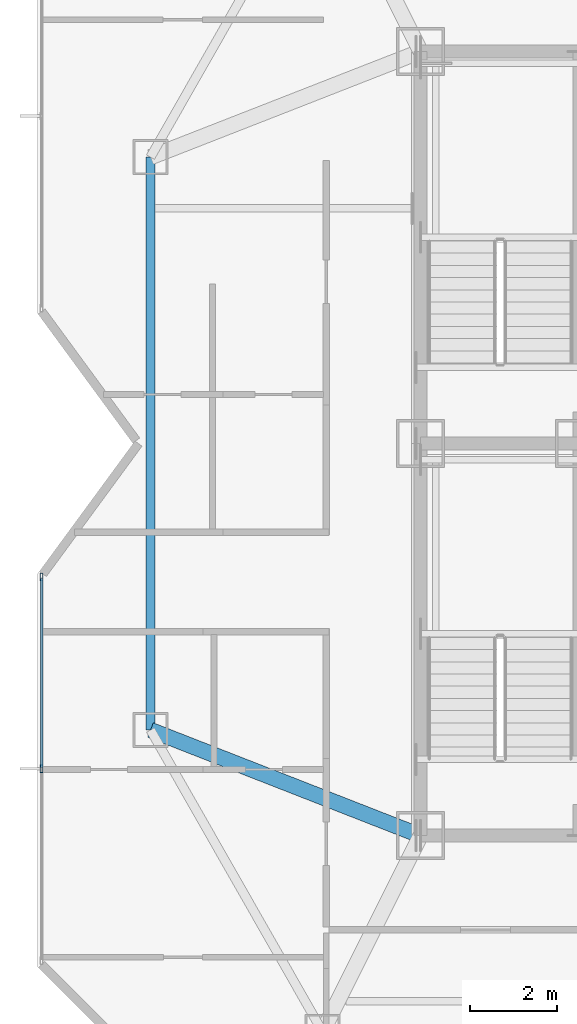
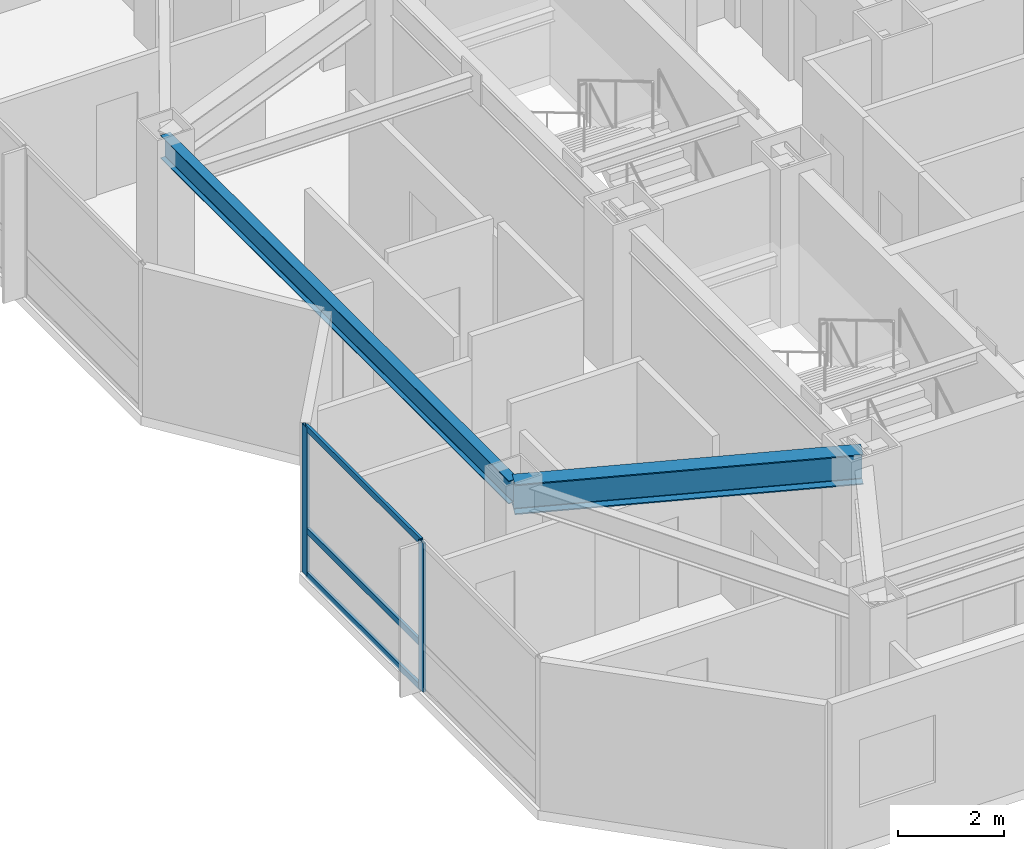
# One storey, part 4 of 15: 5 members, 2 beams, 1 element without a shape of its own.
"""IFC4 building model written with IfcOpenShell, lengths in metres."""

from ifc_helpers import new_model, si_unit, direction, frame, origin, origin_2d, place, context, subcontext, project, spatial, hollow_rectangle, i_section, extrude, material, material_profile, profile_set, type_object, element, aggregate, save


model = new_model("IFC4")

# Units and contexts
model_context = context("Model", 3, precision=1e-05, world=origin(), true_north=direction((0.0, 1.0)))
body_context = subcontext(model_context, "Body", "Model", "MODEL_VIEW")
ifc_project = project(units=[si_unit("LENGTHUNIT", "METRE"), si_unit("AREAUNIT", "SQUARE_METRE"), si_unit("VOLUMEUNIT", "CUBIC_METRE"), si_unit("PLANEANGLEUNIT", "RADIAN"), si_unit("MASSUNIT", "GRAM", prefix="KILO")], contexts=[model_context])

# Site, building, storey
site_placement = place(None, origin())
site = spatial("IfcSite", under=ifc_project, at=site_placement, CompositionType="ELEMENT")
building_placement = place(site_placement, origin())
building = spatial("IfcBuilding", under=site, at=building_placement, Name="Khamvora Tower", CompositionType="ELEMENT")
storey_placement = place(building_placement, frame((0.0, 0.0, 220.85009765625)))
storey = spatial("IfcBuildingStorey", under=building, at=storey_placement, Name="L56", CompositionType="ELEMENT", Elevation=220.85009765625)

# Beams
ifc_material_1 = material(Name="Steel S355", Category="steel")
ifc_material_profile_1 = material_profile(ifc_material_1, i_section(OverallWidth=0.35498046875, OverallDepth=0.695068359375, WebThickness=0.014892578125, FlangeThickness=0.02490234375, FilletRadius=0.01611328125, at=origin_2d()), Name="W690x217")
ifc_profile_set_1 = profile_set([ifc_material_profile_1], Name="Steel S355")
beam_type_1 = type_object("IfcBeamType", Name="BM-PG-W690x217", PredefinedType="BEAM", material=ifc_profile_set_1)
beam_1_placement = place(storey_placement, frame((29.0, 19.0, 3.0830078125), z_axis=(-0.931294712743, 0.36426660294, 0.0), x_axis=(-0.36426660294, -0.931294712743, 0.0)))
element("IfcBeam", 1, at=beam_1_placement, inside=storey, type_object=beam_type_1, Name="L56 primary floor girder W1", PredefinedType="BEAM", context=body_context, shape_type="SweptSolid", body=[
    extrude(i_section(OverallWidth=0.35498046875, OverallDepth=0.695068359375, WebThickness=0.014892578125, FlangeThickness=0.02490234375, FilletRadius=0.01611328125, at=origin_2d()), origin(), (0.0, 0.0, 1.0), 6.6572265625),
])
ifc_material_profile_2 = material_profile(ifc_material_1, i_section(OverallWidth=0.208984375, OverallDepth=0.532958984375, WebThickness=0.010009765625, FlangeThickness=0.01611328125, FilletRadius=0.013916015625, at=origin_2d()), Name="W530x92")
ifc_profile_set_2 = profile_set([ifc_material_profile_2], Name="Steel S355")
beam_type_2 = type_object("IfcBeamType", Name="BM-SP-W530x92", PredefinedType="SPANDREL", material=ifc_profile_set_2)
beam_2_placement = place(storey_placement, frame((22.800048828125, 34.574951171875, 3.162841796875), z_axis=(0.0, -1.0, 0.0), x_axis=(1.0, 0.0, 0.0)))
element("IfcBeam", 2, at=beam_2_placement, inside=storey, type_object=beam_type_2, Name="L56 perimeter spandrel beam W2-W1", PredefinedType="SPANDREL", context=body_context, shape_type="SweptSolid", body=[
    extrude(i_section(OverallWidth=0.208984375, OverallDepth=0.532958984375, WebThickness=0.010009765625, FlangeThickness=0.01611328125, FilletRadius=0.013916015625, at=origin_2d()), origin(), (0.0, 0.0, 1.0), 13.14990234375),
])

# Curtain wall, members
ifc_material_2 = material(Name="Anodised Aluminium 6063-T6", Category="aluminium")
curtain_wall_type = type_object("IfcCurtainWallType", Name="CW-SYS-05", PredefinedType="NOTDEFINED", material=ifc_material_2)
curtain_wall_placement = place(storey_placement, origin())
curtain_wall = element("IfcCurtainWall", 3, at=curtain_wall_placement, inside=storey, type_object=curtain_wall_type, Name="L56 stick curtain wall 02.1", PredefinedType="NOTDEFINED")
ifc_material_profile_3 = material_profile(ifc_material_2, hollow_rectangle(XDim=0.06005859375, YDim=0.175048828125, WallThickness=0.0048828125, at=origin_2d()), Name="MUL60x175x5")
ifc_profile_set_3 = profile_set([ifc_material_profile_3], Name="Anodised Aluminium 6063-T6")
member_type_1 = type_object("IfcMemberType", Name="CW-SYS-05-MUL", PredefinedType="MULLION", material=ifc_profile_set_3)
member_1_placement = place(storey_placement, frame((20.300048828125, 20.535400390625, 0.0), z_axis=(0.0, 0.0, 1.0), x_axis=(-1.0, 0.0, 0.0)))
member_1 = element("IfcMember", 4, at=member_1_placement, type_object=member_type_1, Name="CW-05 mullion 2", PredefinedType="MULLION", context=body_context, shape_type="SweptSolid", body=[
    extrude(hollow_rectangle(XDim=0.06005859375, YDim=0.175048828125, WallThickness=0.0048828125, at=origin_2d()), origin(), (0.0, 0.0, 1.0), 3.429931640625),
])
member_2_placement = place(storey_placement, frame((20.300048828125, 24.93701171875, 0.0), z_axis=(0.0, 0.0, 1.0), x_axis=(-1.0, 0.0, 0.0)))
member_2 = element("IfcMember", 5, at=member_2_placement, type_object=member_type_1, Name="CW-05 mullion 3", PredefinedType="MULLION", context=body_context, shape_type="SweptSolid", body=[
    extrude(hollow_rectangle(XDim=0.06005859375, YDim=0.175048828125, WallThickness=0.0048828125, at=origin_2d()), origin(), (0.0, 0.0, 1.0), 3.429931640625),
])
ifc_material_profile_4 = material_profile(ifc_material_2, hollow_rectangle(XDim=0.06005859375, YDim=0.14501953125, WallThickness=0.0048828125, at=origin_2d()), Name="TRN60x145x5")
ifc_profile_set_4 = profile_set([ifc_material_profile_4], Name="Anodised Aluminium 6063-T6")
member_type_2 = type_object("IfcMemberType", Name="CW-SYS-05-TRN", PredefinedType="USERDEFINED", material=ifc_profile_set_4)
member_3_placement = place(storey_placement, frame((20.300048828125, 20.5654296875, 0.02978515625), z_axis=(0.0, 1.0, 0.0), x_axis=(-1.0, 0.0, 0.0)))
member_3 = element("IfcMember", 6, at=member_3_placement, type_object=member_type_2, Name="CW-05 transom 2.1", ObjectType="TRANSOM", PredefinedType="USERDEFINED", context=body_context, shape_type="SweptSolid", body=[
    extrude(hollow_rectangle(XDim=0.06005859375, YDim=0.14501953125, WallThickness=0.0048828125, at=origin_2d()), origin(), (0.0, 0.0, 1.0), 4.341552734375),
])
member_4_placement = place(storey_placement, frame((20.300048828125, 20.5654296875, 1.0498046875), z_axis=(0.0, 1.0, 0.0), x_axis=(-1.0, 0.0, 0.0)))
member_4 = element("IfcMember", 7, at=member_4_placement, type_object=member_type_2, Name="CW-05 transom 2.2", ObjectType="TRANSOM", PredefinedType="USERDEFINED", context=body_context, shape_type="SweptSolid", body=[
    extrude(hollow_rectangle(XDim=0.06005859375, YDim=0.14501953125, WallThickness=0.0048828125, at=origin_2d()), origin(), (0.0, 0.0, 1.0), 4.341552734375),
])
member_5_placement = place(storey_placement, frame((20.300048828125, 20.5654296875, 3.39990234375), z_axis=(0.0, 1.0, 0.0), x_axis=(-1.0, 0.0, 0.0)))
member_5 = element("IfcMember", 8, at=member_5_placement, type_object=member_type_2, Name="CW-05 transom 2.3", ObjectType="TRANSOM", PredefinedType="USERDEFINED", context=body_context, shape_type="SweptSolid", body=[
    extrude(hollow_rectangle(XDim=0.06005859375, YDim=0.14501953125, WallThickness=0.0048828125, at=origin_2d()), origin(), (0.0, 0.0, 1.0), 4.341552734375),
])
aggregate(curtain_wall, [member_1, member_2, member_3, member_4, member_5])

save(model, "model.ifc")
